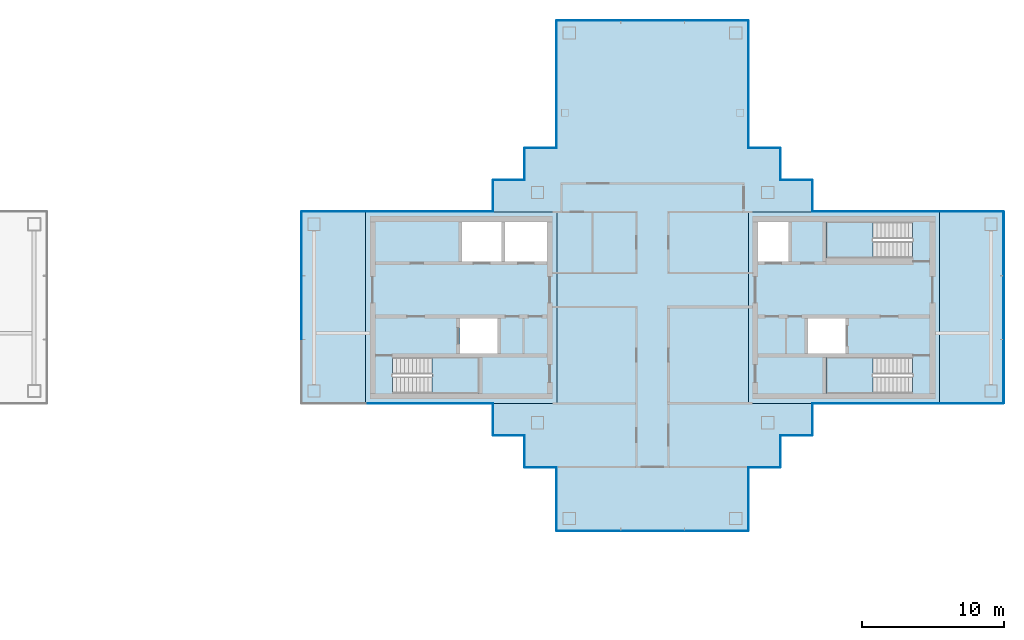
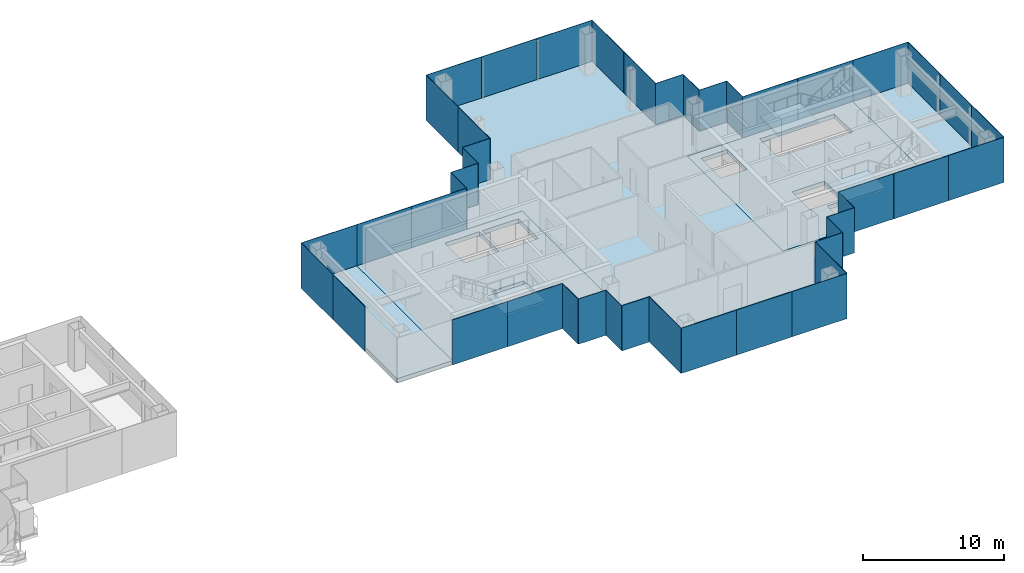
# One storey, part 8 of 16: 44 plates, 8 slabs, 22 elements without a shape of their own.
"""IFC4 building model written with IfcOpenShell, lengths in metres."""

from ifc_helpers import new_model, si_unit, direction, frame, origin, origin_2d, place, context, subcontext, project, spatial, polyline, rectangle, outline, extrude, material, layer, layer_set, type_object, element, aggregate, save


model = new_model("IFC4")

# Units and contexts
model_context = context("Model", 3, precision=1e-05, world=origin(), true_north=direction((0.0, 1.0)))
body_context = subcontext(model_context, "Body", "Model", "MODEL_VIEW")
ifc_project = project(units=[si_unit("LENGTHUNIT", "METRE"), si_unit("AREAUNIT", "SQUARE_METRE"), si_unit("VOLUMEUNIT", "CUBIC_METRE"), si_unit("PLANEANGLEUNIT", "RADIAN"), si_unit("MASSUNIT", "GRAM", prefix="KILO")], contexts=[model_context])

# Site, building, storey
site_placement = place(None, origin())
site = spatial("IfcSite", under=ifc_project, at=site_placement, CompositionType="ELEMENT")
building_placement = place(site_placement, origin())
building = spatial("IfcBuilding", under=site, at=building_placement, Name="Shamsa Quay Exchange Towers", CompositionType="ELEMENT")
storey_placement = place(building_placement, frame((0.0, 0.0, 261.60009765625)))
storey = spatial("IfcBuildingStorey", under=building, at=storey_placement, Name="L63", CompositionType="ELEMENT", Elevation=261.60009765625)

# Slabs
ifc_material_1 = material(Name="Concrete C50/60", Category="concrete")
ifc_layer_1 = layer(ifc_material_1, 0.35009765625)
ifc_layer_set_1 = layer_set([ifc_layer_1], Name="CORE FLOOR 350 C50/60")
slab_type_1 = type_object("IfcSlabType", Name="CORE FLOOR 350 C50/60", PredefinedType="FLOOR", material=ifc_layer_set_1)
slab_1_placement = place(storey_placement, frame((0.0, 0.0, -0.35009765625)))
element("IfcSlab", 1, at=slab_1_placement, inside=storey, type_object=slab_type_1, Name="Core floor T2A", PredefinedType="FLOOR", context=body_context, shape_type="SweptSolid", body=[
    extrude(outline(polyline([(13.5, -6.75), (27.0, -6.75), (27.0, 6.75), (13.5, 6.75), (13.5, -6.75)]), holes=[polyline([(15.400634765625, -6.050048828125), (15.400634765625, -3.5), (21.5, -3.5), (21.5, -6.050048828125), (15.400634765625, -6.050048828125)]), polyline([(20.300048828125, 3.25), (20.300048828125, 6.050048828125), (23.10009765625, 6.050048828125), (23.10009765625, 3.25), (20.300048828125, 3.25)]), polyline([(23.35009765625, 3.25), (23.35009765625, 6.050048828125), (26.300048828125, 6.050048828125), (26.300048828125, 3.25), (23.35009765625, 3.25)]), polyline([(20.14990234375, -3.25), (20.14990234375, -0.75), (22.800048828125, -0.75), (22.800048828125, -3.25), (20.14990234375, -3.25)])]), origin(), (0.0, 0.0, 1.0), 0.35009765625),
])
slab_2_placement = place(storey_placement, frame((0.0, 0.0, -0.35009765625)))
element("IfcSlab", 2, at=slab_2_placement, inside=storey, type_object=slab_type_1, Name="Core floor T2B", PredefinedType="FLOOR", context=body_context, shape_type="SweptSolid", body=[
    extrude(outline(polyline([(54.0, -6.75), (54.0, 6.75), (40.5, 6.75), (40.5, -6.75), (54.0, -6.75)]), holes=[polyline([(52.099365234375, -3.5), (52.099365234375, -6.050048828125), (46.0, -6.050048828125), (46.0, -3.5), (52.099365234375, -3.5)]), polyline([(52.099365234375, 6.050048828125), (52.099365234375, 3.5), (46.0, 3.5), (46.0, 6.050048828125), (52.099365234375, 6.050048828125)]), polyline([(43.35009765625, 3.25), (41.199951171875, 3.25), (41.199951171875, 6.050048828125), (43.35009765625, 6.050048828125), (43.35009765625, 3.25)]), polyline([(47.35009765625, -3.25), (44.699951171875, -3.25), (44.699951171875, -0.75), (47.35009765625, -0.75), (47.35009765625, -3.25)])]), origin(), (0.0, 0.0, 1.0), 0.35009765625),
])

# Stair, slab
ifc_material_2 = material(Name="Concrete C40/50", Category="concrete")
stair_type = type_object("IfcStairType", Name="EXIT STAIR 22 RISERS 177 MM", PredefinedType="HALF_TURN_STAIR", material=ifc_material_2)
stair_1_placement = place(storey_placement, origin())
stair_1 = element("IfcStair", 3, at=stair_1_placement, inside=storey, type_object=stair_type, Name="L63 Exit stair ST4", PredefinedType="HALF_TURN_STAIR")
ifc_layer_2 = layer(ifc_material_2, 0.199951171875)
ifc_layer_set_2 = layer_set([ifc_layer_2], Name="CORE STAIR LANDING")
slab_type_2 = type_object("IfcSlabType", Name="CORE STAIR LANDING", PredefinedType="LANDING", material=ifc_layer_set_2)
slab_3_placement = place(storey_placement, frame((0.0, 0.0, 1.75)))
slab_3 = element("IfcSlab", 4, at=slab_3_placement, type_object=slab_type_2, Name="ST4 landing 1", PredefinedType="LANDING", context=body_context, shape_type="SweptSolid", body=[
    extrude(outline(polyline([(18.199951171875, -6.050048828125), (21.5, -6.050048828125), (21.5, -3.5), (18.199951171875, -3.5), (18.199951171875, -6.050048828125)])), origin(), (0.0, 0.0, 1.0), 0.199951171875),
])
aggregate(stair_1, [slab_3])

stair_2_placement = place(storey_placement, origin())
stair_2 = element("IfcStair", 5, at=stair_2_placement, inside=storey, type_object=stair_type, Name="L63 Exit stair ST5", PredefinedType="HALF_TURN_STAIR")
slab_4_placement = place(storey_placement, frame((0.0, 0.0, 1.75)))
slab_4 = element("IfcSlab", 6, at=slab_4_placement, type_object=slab_type_2, Name="ST5 landing 1", PredefinedType="LANDING", context=body_context, shape_type="SweptSolid", body=[
    extrude(outline(polyline([(49.300048828125, -3.5), (46.0, -3.5), (46.0, -6.050048828125), (49.300048828125, -6.050048828125), (49.300048828125, -3.5)])), origin(), (0.0, 0.0, 1.0), 0.199951171875),
])
aggregate(stair_2, [slab_4])

stair_3_placement = place(storey_placement, origin())
stair_3 = element("IfcStair", 7, at=stair_3_placement, inside=storey, type_object=stair_type, Name="L63 Exit stair ST6", PredefinedType="HALF_TURN_STAIR")
slab_5_placement = place(storey_placement, frame((0.0, 0.0, 1.75)))
slab_5 = element("IfcSlab", 8, at=slab_5_placement, type_object=slab_type_2, Name="ST6 landing 1", PredefinedType="LANDING", context=body_context, shape_type="SweptSolid", body=[
    extrude(outline(polyline([(49.300048828125, 6.050048828125), (46.0, 6.050048828125), (46.0, 3.5), (49.300048828125, 3.5), (49.300048828125, 6.050048828125)])), origin(), (0.0, 0.0, 1.0), 0.199951171875),
])
aggregate(stair_3, [slab_5])

# Curtain wall, plate
ifc_material_3 = material(Name="Aluminium EN AW-6063 T6, black anodised", Category="aluminium")
ifc_layer_3 = layer(ifc_material_3, 0.280029296875)
ifc_layer_set_3 = layer_set([ifc_layer_3], Name="CW-1 UNITISED VISION GLASS")
curtain_wall_type_1 = type_object("IfcCurtainWallType", Name="CW-1 UNITISED VISION GLASS", PredefinedType="NOTDEFINED", material=ifc_layer_set_3)
curtain_wall_1_placement = place(storey_placement, origin())
curtain_wall_1 = element("IfcCurtainWall", 9, at=curtain_wall_1_placement, inside=storey, type_object=curtain_wall_type_1, Name="CW1 T2-FLK-V-W L63", PredefinedType="NOTDEFINED")
ifc_material_4 = material(Name="Glass, laminated, dark tinted", Category="glass")
ifc_layer_4 = layer(ifc_material_4, 0.0400390625)
ifc_layer_set_4 = layer_set([ifc_layer_4], Name="CW-1 VISION GLASS 40")
plate_type_1 = type_object("IfcPlateType", Name="CW-1 VISION GLASS 40", PredefinedType="CURTAIN_PANEL", material=ifc_layer_set_4)
plate_1_placement = place(storey_placement, frame((56.25, -6.77001953125, -0.35009765625)))
plate_1 = element("IfcPlate", 10, at=plate_1_placement, type_object=plate_type_1, Name="CW1 glass panel", PredefinedType="CURTAIN_PANEL", context=body_context, shape_type="SweptSolid", body=[
    extrude(rectangle(XDim=4.5, YDim=0.0400390625, at=origin_2d()), origin(), (0.0, 0.0, 1.0), 3.89990234375),
])
aggregate(curtain_wall_1, [plate_1])

# Curtain wall, plates
curtain_wall_2_placement = place(storey_placement, origin())
curtain_wall_2 = element("IfcCurtainWall", 11, at=curtain_wall_2_placement, inside=storey, type_object=curtain_wall_type_1, Name="CW1 T2-END-V- L63", PredefinedType="NOTDEFINED")
plate_2_placement = place(storey_placement, frame((58.52001953125, -4.50244140625, -0.35009765625), z_axis=(0.0, 0.0, 1.0), x_axis=(0.0, 1.0, 0.0)))
plate_2 = element("IfcPlate", 12, at=plate_2_placement, type_object=plate_type_1, Name="CW1 glass panel", PredefinedType="CURTAIN_PANEL", context=body_context, shape_type="SweptSolid", body=[
    extrude(rectangle(XDim=4.4951171875, YDim=0.0400390625, at=origin_2d()), origin(), (0.0, 0.0, 1.0), 3.89990234375),
])
plate_3_placement = place(storey_placement, frame((58.52001953125, 0.0, -0.35009765625), z_axis=(0.0, 0.0, 1.0), x_axis=(0.0, 1.0, 0.0)))
plate_3 = element("IfcPlate", 13, at=plate_3_placement, type_object=plate_type_1, Name="CW1 glass panel", PredefinedType="CURTAIN_PANEL", context=body_context, shape_type="SweptSolid", body=[
    extrude(rectangle(XDim=4.489990234375, YDim=0.0400390625, at=origin_2d()), origin(), (0.0, 0.0, 1.0), 3.89990234375),
])
plate_4_placement = place(storey_placement, frame((58.52001953125, 4.50244140625, -0.35009765625), z_axis=(0.0, 0.0, 1.0), x_axis=(0.0, 1.0, 0.0)))
plate_4 = element("IfcPlate", 14, at=plate_4_placement, type_object=plate_type_1, Name="CW1 glass panel", PredefinedType="CURTAIN_PANEL", context=body_context, shape_type="SweptSolid", body=[
    extrude(rectangle(XDim=4.4951171875, YDim=0.0400390625, at=origin_2d()), origin(), (0.0, 0.0, 1.0), 3.89990234375),
])
aggregate(curtain_wall_2, [plate_2, plate_3, plate_4])

# Curtain wall, plate
curtain_wall_3_placement = place(storey_placement, origin())
curtain_wall_3 = element("IfcCurtainWall", 15, at=curtain_wall_3_placement, inside=storey, type_object=curtain_wall_type_1, Name="CW1 T2-FLK-V-E L63", PredefinedType="NOTDEFINED")
plate_5_placement = place(storey_placement, frame((56.25, 6.77001953125, -0.35009765625), z_axis=(0.0, 0.0, 1.0), x_axis=(-1.0, 0.0, 0.0)))
plate_5 = element("IfcPlate", 16, at=plate_5_placement, type_object=plate_type_1, Name="CW1 glass panel", PredefinedType="CURTAIN_PANEL", context=body_context, shape_type="SweptSolid", body=[
    extrude(rectangle(XDim=4.5, YDim=0.0400390625, at=origin_2d()), origin(), (0.0, 0.0, 1.0), 3.89990234375),
])
aggregate(curtain_wall_3, [plate_5])

# Curtain wall, plates
curtain_wall_4_placement = place(storey_placement, origin())
curtain_wall_4 = element("IfcCurtainWall", 17, at=curtain_wall_4_placement, inside=storey, type_object=curtain_wall_type_1, Name="CW1 T2-FLK-U+S L63", PredefinedType="NOTDEFINED")
plate_6_placement = place(storey_placement, frame((40.52001953125, 13.52587890625, -0.35009765625), z_axis=(0.0, 0.0, 1.0), x_axis=(0.0, 1.0, 0.0)))
plate_6 = element("IfcPlate", 18, at=plate_6_placement, type_object=plate_type_1, Name="CW1 glass panel", PredefinedType="CURTAIN_PANEL", context=body_context, shape_type="SweptSolid", body=[
    extrude(rectangle(XDim=4.47607421875, YDim=0.0400390625, at=origin_2d()), origin(), (0.0, 0.0, 1.0), 3.89990234375),
])
plate_7_placement = place(storey_placement, frame((40.52001953125, 18.011962890625, -0.35009765625), z_axis=(0.0, 0.0, 1.0), x_axis=(0.0, 1.0, 0.0)))
plate_7 = element("IfcPlate", 19, at=plate_7_placement, type_object=plate_type_1, Name="CW1 glass panel", PredefinedType="CURTAIN_PANEL", context=body_context, shape_type="SweptSolid", body=[
    extrude(rectangle(XDim=4.47607421875, YDim=0.0400390625, at=origin_2d()), origin(), (0.0, 0.0, 1.0), 3.89990234375),
])
aggregate(curtain_wall_4, [plate_6, plate_7])

curtain_wall_5_placement = place(storey_placement, origin())
curtain_wall_5 = element("IfcCurtainWall", 20, at=curtain_wall_5_placement, inside=storey, type_object=curtain_wall_type_1, Name="CW1 T2-END-U+ L63", PredefinedType="NOTDEFINED")
plate_8_placement = place(storey_placement, frame((38.25244140625, 20.27001953125, -0.35009765625), z_axis=(0.0, 0.0, 1.0), x_axis=(-1.0, 0.0, 0.0)))
plate_8 = element("IfcPlate", 21, at=plate_8_placement, type_object=plate_type_1, Name="CW1 glass panel", PredefinedType="CURTAIN_PANEL", context=body_context, shape_type="SweptSolid", body=[
    extrude(rectangle(XDim=4.4951171875, YDim=0.0400390625, at=origin_2d()), origin(), (0.0, 0.0, 1.0), 3.89990234375),
])
plate_9_placement = place(storey_placement, frame((33.75, 20.27001953125, -0.35009765625), z_axis=(0.0, 0.0, 1.0), x_axis=(-1.0, 0.0, 0.0)))
plate_9 = element("IfcPlate", 22, at=plate_9_placement, type_object=plate_type_1, Name="CW1 glass panel", PredefinedType="CURTAIN_PANEL", context=body_context, shape_type="SweptSolid", body=[
    extrude(rectangle(XDim=4.489990234375, YDim=0.0400390625, at=origin_2d()), origin(), (0.0, 0.0, 1.0), 3.89990234375),
])
plate_10_placement = place(storey_placement, frame((29.24755859375, 20.27001953125, -0.35009765625), z_axis=(0.0, 0.0, 1.0), x_axis=(-1.0, 0.0, 0.0)))
plate_10 = element("IfcPlate", 23, at=plate_10_placement, type_object=plate_type_1, Name="CW1 glass panel", PredefinedType="CURTAIN_PANEL", context=body_context, shape_type="SweptSolid", body=[
    extrude(rectangle(XDim=4.4951171875, YDim=0.0400390625, at=origin_2d()), origin(), (0.0, 0.0, 1.0), 3.89990234375),
])
aggregate(curtain_wall_5, [plate_8, plate_9, plate_10])

curtain_wall_6_placement = place(storey_placement, origin())
curtain_wall_6 = element("IfcCurtainWall", 24, at=curtain_wall_6_placement, inside=storey, type_object=curtain_wall_type_1, Name="CW1 T2-FLK-U+N L63", PredefinedType="NOTDEFINED")
plate_11_placement = place(storey_placement, frame((26.97998046875, 18.00244140625, -0.35009765625), z_axis=(0.0, 0.0, 1.0), x_axis=(0.0, -1.0, 0.0)))
plate_11 = element("IfcPlate", 25, at=plate_11_placement, type_object=plate_type_1, Name="CW1 glass panel", PredefinedType="CURTAIN_PANEL", context=body_context, shape_type="SweptSolid", body=[
    extrude(rectangle(XDim=4.4951171875, YDim=0.0400390625, at=origin_2d()), origin(), (0.0, 0.0, 1.0), 3.89990234375),
])
plate_12_placement = place(storey_placement, frame((26.97998046875, 13.49755859375, -0.35009765625), z_axis=(0.0, 0.0, 1.0), x_axis=(0.0, -1.0, 0.0)))
plate_12 = element("IfcPlate", 26, at=plate_12_placement, type_object=plate_type_1, Name="CW1 glass panel", PredefinedType="CURTAIN_PANEL", context=body_context, shape_type="SweptSolid", body=[
    extrude(rectangle(XDim=4.4951171875, YDim=0.0400390625, at=origin_2d()), origin(), (0.0, 0.0, 1.0), 3.89990234375),
])
aggregate(curtain_wall_6, [plate_11, plate_12])

# Curtain wall, plate
curtain_wall_7_placement = place(storey_placement, origin())
curtain_wall_7 = element("IfcCurtainWall", 27, at=curtain_wall_7_placement, inside=storey, type_object=curtain_wall_type_1, Name="CW1 T2-FLK-V+E L63", PredefinedType="NOTDEFINED")
plate_13_placement = place(storey_placement, frame((11.25, 6.77001953125, -0.35009765625), z_axis=(0.0, 0.0, 1.0), x_axis=(-1.0, 0.0, 0.0)))
plate_13 = element("IfcPlate", 28, at=plate_13_placement, type_object=plate_type_1, Name="CW1 glass panel", PredefinedType="CURTAIN_PANEL", context=body_context, shape_type="SweptSolid", body=[
    extrude(rectangle(XDim=4.5, YDim=0.0400390625, at=origin_2d()), origin(), (0.0, 0.0, 1.0), 3.89990234375),
])
aggregate(curtain_wall_7, [plate_13])

# Curtain wall, plates
curtain_wall_8_placement = place(storey_placement, origin())
curtain_wall_8 = element("IfcCurtainWall", 29, at=curtain_wall_8_placement, inside=storey, type_object=curtain_wall_type_1, Name="CW1 T2-END-V+ L63", PredefinedType="NOTDEFINED")
plate_14_placement = place(storey_placement, frame((8.97998046875, 4.50244140625, -0.35009765625), z_axis=(0.0, 0.0, 1.0), x_axis=(0.0, -1.0, 0.0)))
plate_14 = element("IfcPlate", 30, at=plate_14_placement, type_object=plate_type_1, Name="CW1 glass panel", PredefinedType="CURTAIN_PANEL", context=body_context, shape_type="SweptSolid", body=[
    extrude(rectangle(XDim=4.4951171875, YDim=0.0400390625, at=origin_2d()), origin(), (0.0, 0.0, 1.0), 3.89990234375),
])
plate_15_placement = place(storey_placement, frame((8.97998046875, 0.0, -0.35009765625), z_axis=(0.0, 0.0, 1.0), x_axis=(0.0, -1.0, 0.0)))
plate_15 = element("IfcPlate", 31, at=plate_15_placement, type_object=plate_type_1, Name="CW1 glass panel", PredefinedType="CURTAIN_PANEL", context=body_context, shape_type="SweptSolid", body=[
    extrude(rectangle(XDim=4.489990234375, YDim=0.0400390625, at=origin_2d()), origin(), (0.0, 0.0, 1.0), 3.89990234375),
])
aggregate(curtain_wall_8, [plate_14, plate_15])

# Curtain wall, plate
curtain_wall_9_placement = place(storey_placement, origin())
curtain_wall_9 = element("IfcCurtainWall", 32, at=curtain_wall_9_placement, inside=storey, type_object=curtain_wall_type_1, Name="CW1 T2-FLK-U-N L63", PredefinedType="NOTDEFINED")
plate_16_placement = place(storey_placement, frame((26.97998046875, -13.51904296875, -0.35009765625), z_axis=(0.0, 0.0, 1.0), x_axis=(0.0, -1.0, 0.0)))
plate_16 = element("IfcPlate", 33, at=plate_16_placement, type_object=plate_type_1, Name="CW1 glass panel", PredefinedType="CURTAIN_PANEL", context=body_context, shape_type="SweptSolid", body=[
    extrude(rectangle(XDim=4.4619140625, YDim=0.0400390625, at=origin_2d()), origin(), (0.0, 0.0, 1.0), 3.89990234375),
])
aggregate(curtain_wall_9, [plate_16])

# Curtain wall, plates
curtain_wall_10_placement = place(storey_placement, origin())
curtain_wall_10 = element("IfcCurtainWall", 34, at=curtain_wall_10_placement, inside=storey, type_object=curtain_wall_type_1, Name="CW1 T2-END-U- L63", PredefinedType="NOTDEFINED")
plate_17_placement = place(storey_placement, frame((29.24755859375, -15.77001953125, -0.35009765625)))
plate_17 = element("IfcPlate", 35, at=plate_17_placement, type_object=plate_type_1, Name="CW1 glass panel", PredefinedType="CURTAIN_PANEL", context=body_context, shape_type="SweptSolid", body=[
    extrude(rectangle(XDim=4.4951171875, YDim=0.0400390625, at=origin_2d()), origin(), (0.0, 0.0, 1.0), 3.89990234375),
])
plate_18_placement = place(storey_placement, frame((33.75, -15.77001953125, -0.35009765625)))
plate_18 = element("IfcPlate", 36, at=plate_18_placement, type_object=plate_type_1, Name="CW1 glass panel", PredefinedType="CURTAIN_PANEL", context=body_context, shape_type="SweptSolid", body=[
    extrude(rectangle(XDim=4.489990234375, YDim=0.0400390625, at=origin_2d()), origin(), (0.0, 0.0, 1.0), 3.89990234375),
])
plate_19_placement = place(storey_placement, frame((38.25244140625, -15.77001953125, -0.35009765625)))
plate_19 = element("IfcPlate", 37, at=plate_19_placement, type_object=plate_type_1, Name="CW1 glass panel", PredefinedType="CURTAIN_PANEL", context=body_context, shape_type="SweptSolid", body=[
    extrude(rectangle(XDim=4.4951171875, YDim=0.0400390625, at=origin_2d()), origin(), (0.0, 0.0, 1.0), 3.89990234375),
])
aggregate(curtain_wall_10, [plate_17, plate_18, plate_19])

# Curtain wall, plate
curtain_wall_11_placement = place(storey_placement, origin())
curtain_wall_11 = element("IfcCurtainWall", 38, at=curtain_wall_11_placement, inside=storey, type_object=curtain_wall_type_1, Name="CW1 T2-FLK-U-S L63", PredefinedType="NOTDEFINED")
plate_20_placement = place(storey_placement, frame((40.52001953125, -13.5, -0.35009765625), z_axis=(0.0, 0.0, 1.0), x_axis=(0.0, 1.0, 0.0)))
plate_20 = element("IfcPlate", 39, at=plate_20_placement, type_object=plate_type_1, Name="CW1 glass panel", PredefinedType="CURTAIN_PANEL", context=body_context, shape_type="SweptSolid", body=[
    extrude(rectangle(XDim=4.5, YDim=0.0400390625, at=origin_2d()), origin(), (0.0, 0.0, 1.0), 3.89990234375),
])
aggregate(curtain_wall_11, [plate_20])

# Curtain wall, plates
ifc_layer_5 = layer(ifc_material_3, 0.303955078125)
ifc_layer_set_5 = layer_set([ifc_layer_5], Name="CW-2 UNITISED OPAQUE SPANDREL GLASS")
curtain_wall_type_2 = type_object("IfcCurtainWallType", Name="CW-2 UNITISED OPAQUE SPANDREL GLASS", PredefinedType="NOTDEFINED", material=ifc_layer_set_5)
curtain_wall_12_placement = place(storey_placement, origin())
curtain_wall_12 = element("IfcCurtainWall", 40, at=curtain_wall_12_placement, inside=storey, type_object=curtain_wall_type_2, Name="CW2 T2-FLK-V-W L63", PredefinedType="NOTDEFINED")
ifc_material_5 = material(Name="Glass, laminated, black enamelled opaque", Category="glass")
ifc_layer_6 = layer(ifc_material_5, 0.0439453125)
ifc_layer_set_6 = layer_set([ifc_layer_6], Name="CW-2 SPANDREL GLASS 44")
plate_type_2 = type_object("IfcPlateType", Name="CW-2 SPANDREL GLASS 44", PredefinedType="CURTAIN_PANEL", material=ifc_layer_set_6)
plate_21_placement = place(storey_placement, frame((47.27587890625, -6.77197265625, -0.35009765625)))
plate_21 = element("IfcPlate", 41, at=plate_21_placement, type_object=plate_type_2, Name="CW2 glass panel", PredefinedType="CURTAIN_PANEL", context=body_context, shape_type="SweptSolid", body=[
    extrude(rectangle(XDim=4.47607421875, YDim=0.0439453125, at=origin_2d()), origin(), (0.0, 0.0, 1.0), 3.89990234375),
])
plate_22_placement = place(storey_placement, frame((51.761962890625, -6.77197265625, -0.35009765625)))
plate_22 = element("IfcPlate", 42, at=plate_22_placement, type_object=plate_type_2, Name="CW2 glass panel", PredefinedType="CURTAIN_PANEL", context=body_context, shape_type="SweptSolid", body=[
    extrude(rectangle(XDim=4.47607421875, YDim=0.0439453125, at=origin_2d()), origin(), (0.0, 0.0, 1.0), 3.89990234375),
])
aggregate(curtain_wall_12, [plate_21, plate_22])

curtain_wall_13_placement = place(storey_placement, origin())
curtain_wall_13 = element("IfcCurtainWall", 43, at=curtain_wall_13_placement, inside=storey, type_object=curtain_wall_type_2, Name="CW2 T2-FLK-V-E L63", PredefinedType="NOTDEFINED")
plate_23_placement = place(storey_placement, frame((51.75244140625, 6.77197265625, -0.35009765625), z_axis=(0.0, 0.0, 1.0), x_axis=(-1.0, 0.0, 0.0)))
plate_23 = element("IfcPlate", 44, at=plate_23_placement, type_object=plate_type_2, Name="CW2 glass panel", PredefinedType="CURTAIN_PANEL", context=body_context, shape_type="SweptSolid", body=[
    extrude(rectangle(XDim=4.4951171875, YDim=0.0439453125, at=origin_2d()), origin(), (0.0, 0.0, 1.0), 3.89990234375),
])
plate_24_placement = place(storey_placement, frame((47.24755859375, 6.77197265625, -0.35009765625), z_axis=(0.0, 0.0, 1.0), x_axis=(-1.0, 0.0, 0.0)))
plate_24 = element("IfcPlate", 45, at=plate_24_placement, type_object=plate_type_2, Name="CW2 glass panel", PredefinedType="CURTAIN_PANEL", context=body_context, shape_type="SweptSolid", body=[
    extrude(rectangle(XDim=4.4951171875, YDim=0.0439453125, at=origin_2d()), origin(), (0.0, 0.0, 1.0), 3.89990234375),
])
aggregate(curtain_wall_13, [plate_23, plate_24])

curtain_wall_14_placement = place(storey_placement, origin())
curtain_wall_14 = element("IfcCurtainWall", 46, at=curtain_wall_14_placement, inside=storey, type_object=curtain_wall_type_2, Name="CW2 T2-FLK-V+E L63", PredefinedType="NOTDEFINED")
plate_25_placement = place(storey_placement, frame((20.22412109375, 6.77197265625, -0.35009765625), z_axis=(0.0, 0.0, 1.0), x_axis=(-1.0, 0.0, 0.0)))
plate_25 = element("IfcPlate", 47, at=plate_25_placement, type_object=plate_type_2, Name="CW2 glass panel", PredefinedType="CURTAIN_PANEL", context=body_context, shape_type="SweptSolid", body=[
    extrude(rectangle(XDim=4.47607421875, YDim=0.0439453125, at=origin_2d()), origin(), (0.0, 0.0, 1.0), 3.89990234375),
])
plate_26_placement = place(storey_placement, frame((15.738037109375, 6.77197265625, -0.35009765625), z_axis=(0.0, 0.0, 1.0), x_axis=(-1.0, 0.0, 0.0)))
plate_26 = element("IfcPlate", 48, at=plate_26_placement, type_object=plate_type_2, Name="CW2 glass panel", PredefinedType="CURTAIN_PANEL", context=body_context, shape_type="SweptSolid", body=[
    extrude(rectangle(XDim=4.47607421875, YDim=0.0439453125, at=origin_2d()), origin(), (0.0, 0.0, 1.0), 3.89990234375),
])
aggregate(curtain_wall_14, [plate_25, plate_26])

curtain_wall_15_placement = place(storey_placement, origin())
curtain_wall_15 = element("IfcCurtainWall", 49, at=curtain_wall_15_placement, inside=storey, type_object=curtain_wall_type_2, Name="CW2 T2-FLK-V+W L63", PredefinedType="NOTDEFINED")
plate_27_placement = place(storey_placement, frame((15.74755859375, -6.77197265625, -0.35009765625)))
plate_27 = element("IfcPlate", 50, at=plate_27_placement, type_object=plate_type_2, Name="CW2 glass panel", PredefinedType="CURTAIN_PANEL", context=body_context, shape_type="SweptSolid", body=[
    extrude(rectangle(XDim=4.4951171875, YDim=0.0439453125, at=origin_2d()), origin(), (0.0, 0.0, 1.0), 3.89990234375),
])
plate_28_placement = place(storey_placement, frame((20.25244140625, -6.77197265625, -0.35009765625)))
plate_28 = element("IfcPlate", 51, at=plate_28_placement, type_object=plate_type_2, Name="CW2 glass panel", PredefinedType="CURTAIN_PANEL", context=body_context, shape_type="SweptSolid", body=[
    extrude(rectangle(XDim=4.4951171875, YDim=0.0439453125, at=origin_2d()), origin(), (0.0, 0.0, 1.0), 3.89990234375),
])
aggregate(curtain_wall_15, [plate_27, plate_28])

ifc_layer_7 = layer(ifc_material_3, 0.256103515625)
ifc_layer_set_7 = layer_set([ifc_layer_7], Name="CW-4 POCKET SERRATED GLAZING")
curtain_wall_type_3 = type_object("IfcCurtainWallType", Name="CW-4 POCKET SERRATED GLAZING", PredefinedType="NOTDEFINED", material=ifc_layer_set_7)
curtain_wall_16_placement = place(storey_placement, origin())
curtain_wall_16 = element("IfcCurtainWall", 52, at=curtain_wall_16_placement, inside=storey, type_object=curtain_wall_type_3, Name="CW4 PKWS L63", PredefinedType="NOTDEFINED")
ifc_layer_8 = layer(ifc_material_4, 0.035888671875)
ifc_layer_set_8 = layer_set([ifc_layer_8], Name="CW-4 POCKET GLASS 36")
plate_type_3 = type_object("IfcPlateType", Name="CW-4 POCKET GLASS 36", PredefinedType="CURTAIN_PANEL", material=ifc_layer_set_8)
plate_29_placement = place(storey_placement, frame((43.89404296875, -9.01806640625, -0.35009765625)))
plate_29 = element("IfcPlate", 53, at=plate_29_placement, type_object=plate_type_3, Name="CW4 glass panel", PredefinedType="CURTAIN_PANEL", context=body_context, shape_type="SweptSolid", body=[
    extrude(rectangle(XDim=2.2119140625, YDim=0.035888671875, at=origin_2d()), origin(), (0.0, 0.0, 1.0), 3.89990234375),
])
plate_30_placement = place(storey_placement, frame((45.01806640625, -7.875, -0.35009765625), z_axis=(0.0, 0.0, 1.0), x_axis=(0.0, 1.0, 0.0)))
plate_30 = element("IfcPlate", 54, at=plate_30_placement, type_object=plate_type_3, Name="CW4 glass panel", PredefinedType="CURTAIN_PANEL", context=body_context, shape_type="SweptSolid", body=[
    extrude(rectangle(XDim=2.25, YDim=0.035888671875, at=origin_2d()), origin(), (0.0, 0.0, 1.0), 3.89990234375),
])
plate_31_placement = place(storey_placement, frame((41.64599609375, -11.26806640625, -0.35009765625)))
plate_31 = element("IfcPlate", 55, at=plate_31_placement, type_object=plate_type_3, Name="CW4 glass panel", PredefinedType="CURTAIN_PANEL", context=body_context, shape_type="SweptSolid", body=[
    extrude(rectangle(XDim=2.2080078125, YDim=0.035888671875, at=origin_2d()), origin(), (0.0, 0.0, 1.0), 3.89990234375),
])
plate_32_placement = place(storey_placement, frame((42.76806640625, -10.125, -0.35009765625), z_axis=(0.0, 0.0, 1.0), x_axis=(0.0, 1.0, 0.0)))
plate_32 = element("IfcPlate", 56, at=plate_32_placement, type_object=plate_type_3, Name="CW4 glass panel", PredefinedType="CURTAIN_PANEL", context=body_context, shape_type="SweptSolid", body=[
    extrude(rectangle(XDim=2.25, YDim=0.035888671875, at=origin_2d()), origin(), (0.0, 0.0, 1.0), 3.89990234375),
])
aggregate(curtain_wall_16, [plate_29, plate_30, plate_31, plate_32])

curtain_wall_17_placement = place(storey_placement, origin())
curtain_wall_17 = element("IfcCurtainWall", 57, at=curtain_wall_17_placement, inside=storey, type_object=curtain_wall_type_3, Name="CW4 PKES L63", PredefinedType="NOTDEFINED")
plate_33_placement = place(storey_placement, frame((45.01806640625, 7.89794921875, -0.35009765625), z_axis=(0.0, 0.0, 1.0), x_axis=(0.0, 1.0, 0.0)))
plate_33 = element("IfcPlate", 58, at=plate_33_placement, type_object=plate_type_3, Name="CW4 glass panel", PredefinedType="CURTAIN_PANEL", context=body_context, shape_type="SweptSolid", body=[
    extrude(rectangle(XDim=2.2041015625, YDim=0.035888671875, at=origin_2d()), origin(), (0.0, 0.0, 1.0), 3.89990234375),
])
plate_34_placement = place(storey_placement, frame((43.875, 9.01806640625, -0.35009765625), z_axis=(0.0, 0.0, 1.0), x_axis=(-1.0, 0.0, 0.0)))
plate_34 = element("IfcPlate", 59, at=plate_34_placement, type_object=plate_type_3, Name="CW4 glass panel", PredefinedType="CURTAIN_PANEL", context=body_context, shape_type="SweptSolid", body=[
    extrude(rectangle(XDim=2.25, YDim=0.035888671875, at=origin_2d()), origin(), (0.0, 0.0, 1.0), 3.89990234375),
])
plate_35_placement = place(storey_placement, frame((42.76806640625, 10.14404296875, -0.35009765625), z_axis=(0.0, 0.0, 1.0), x_axis=(0.0, 1.0, 0.0)))
plate_35 = element("IfcPlate", 60, at=plate_35_placement, type_object=plate_type_3, Name="CW4 glass panel", PredefinedType="CURTAIN_PANEL", context=body_context, shape_type="SweptSolid", body=[
    extrude(rectangle(XDim=2.2119140625, YDim=0.035888671875, at=origin_2d()), origin(), (0.0, 0.0, 1.0), 3.89990234375),
])
plate_36_placement = place(storey_placement, frame((41.625, 11.26806640625, -0.35009765625), z_axis=(0.0, 0.0, 1.0), x_axis=(-1.0, 0.0, 0.0)))
plate_36 = element("IfcPlate", 61, at=plate_36_placement, type_object=plate_type_3, Name="CW4 glass panel", PredefinedType="CURTAIN_PANEL", context=body_context, shape_type="SweptSolid", body=[
    extrude(rectangle(XDim=2.25, YDim=0.035888671875, at=origin_2d()), origin(), (0.0, 0.0, 1.0), 3.89990234375),
])
aggregate(curtain_wall_17, [plate_33, plate_34, plate_35, plate_36])

curtain_wall_18_placement = place(storey_placement, origin())
curtain_wall_18 = element("IfcCurtainWall", 62, at=curtain_wall_18_placement, inside=storey, type_object=curtain_wall_type_3, Name="CW4 PKEN L63", PredefinedType="NOTDEFINED")
plate_37_placement = place(storey_placement, frame((25.85400390625, 11.26806640625, -0.35009765625), z_axis=(0.0, 0.0, 1.0), x_axis=(-1.0, 0.0, 0.0)))
plate_37 = element("IfcPlate", 63, at=plate_37_placement, type_object=plate_type_3, Name="CW4 glass panel", PredefinedType="CURTAIN_PANEL", context=body_context, shape_type="SweptSolid", body=[
    extrude(rectangle(XDim=2.2080078125, YDim=0.035888671875, at=origin_2d()), origin(), (0.0, 0.0, 1.0), 3.89990234375),
])
plate_38_placement = place(storey_placement, frame((24.73193359375, 10.125, -0.35009765625), z_axis=(0.0, 0.0, 1.0), x_axis=(0.0, -1.0, 0.0)))
plate_38 = element("IfcPlate", 64, at=plate_38_placement, type_object=plate_type_3, Name="CW4 glass panel", PredefinedType="CURTAIN_PANEL", context=body_context, shape_type="SweptSolid", body=[
    extrude(rectangle(XDim=2.25, YDim=0.035888671875, at=origin_2d()), origin(), (0.0, 0.0, 1.0), 3.89990234375),
])
plate_39_placement = place(storey_placement, frame((23.60595703125, 9.01806640625, -0.35009765625), z_axis=(0.0, 0.0, 1.0), x_axis=(-1.0, 0.0, 0.0)))
plate_39 = element("IfcPlate", 65, at=plate_39_placement, type_object=plate_type_3, Name="CW4 glass panel", PredefinedType="CURTAIN_PANEL", context=body_context, shape_type="SweptSolid", body=[
    extrude(rectangle(XDim=2.2119140625, YDim=0.035888671875, at=origin_2d()), origin(), (0.0, 0.0, 1.0), 3.89990234375),
])
plate_40_placement = place(storey_placement, frame((22.48193359375, 7.875, -0.35009765625), z_axis=(0.0, 0.0, 1.0), x_axis=(0.0, -1.0, 0.0)))
plate_40 = element("IfcPlate", 66, at=plate_40_placement, type_object=plate_type_3, Name="CW4 glass panel", PredefinedType="CURTAIN_PANEL", context=body_context, shape_type="SweptSolid", body=[
    extrude(rectangle(XDim=2.25, YDim=0.035888671875, at=origin_2d()), origin(), (0.0, 0.0, 1.0), 3.89990234375),
])
aggregate(curtain_wall_18, [plate_37, plate_38, plate_39, plate_40])

curtain_wall_19_placement = place(storey_placement, origin())
curtain_wall_19 = element("IfcCurtainWall", 67, at=curtain_wall_19_placement, inside=storey, type_object=curtain_wall_type_3, Name="CW4 PKWN L63", PredefinedType="NOTDEFINED")
plate_41_placement = place(storey_placement, frame((22.48193359375, -7.89794921875, -0.35009765625), z_axis=(0.0, 0.0, 1.0), x_axis=(0.0, -1.0, 0.0)))
plate_41 = element("IfcPlate", 68, at=plate_41_placement, type_object=plate_type_3, Name="CW4 glass panel", PredefinedType="CURTAIN_PANEL", context=body_context, shape_type="SweptSolid", body=[
    extrude(rectangle(XDim=2.2041015625, YDim=0.035888671875, at=origin_2d()), origin(), (0.0, 0.0, 1.0), 3.89990234375),
])
plate_42_placement = place(storey_placement, frame((23.625, -9.01806640625, -0.35009765625)))
plate_42 = element("IfcPlate", 69, at=plate_42_placement, type_object=plate_type_3, Name="CW4 glass panel", PredefinedType="CURTAIN_PANEL", context=body_context, shape_type="SweptSolid", body=[
    extrude(rectangle(XDim=2.25, YDim=0.035888671875, at=origin_2d()), origin(), (0.0, 0.0, 1.0), 3.89990234375),
])
plate_43_placement = place(storey_placement, frame((24.73193359375, -10.14404296875, -0.35009765625), z_axis=(0.0, 0.0, 1.0), x_axis=(0.0, -1.0, 0.0)))
plate_43 = element("IfcPlate", 70, at=plate_43_placement, type_object=plate_type_3, Name="CW4 glass panel", PredefinedType="CURTAIN_PANEL", context=body_context, shape_type="SweptSolid", body=[
    extrude(rectangle(XDim=2.2119140625, YDim=0.035888671875, at=origin_2d()), origin(), (0.0, 0.0, 1.0), 3.89990234375),
])
plate_44_placement = place(storey_placement, frame((25.875, -11.26806640625, -0.35009765625)))
plate_44 = element("IfcPlate", 71, at=plate_44_placement, type_object=plate_type_3, Name="CW4 glass panel", PredefinedType="CURTAIN_PANEL", context=body_context, shape_type="SweptSolid", body=[
    extrude(rectangle(XDim=2.25, YDim=0.035888671875, at=origin_2d()), origin(), (0.0, 0.0, 1.0), 3.89990234375),
])
aggregate(curtain_wall_19, [plate_41, plate_42, plate_43, plate_44])

# Slabs
ifc_layer_9 = layer(ifc_material_2, 0.35009765625)
ifc_layer_set_9 = layer_set([ifc_layer_9], Name="Flat slab 350")
slab_type_3 = type_object("IfcSlabType", Name="Flat slab 350", PredefinedType="FLOOR", material=ifc_layer_set_9)
slab_6_placement = place(storey_placement, frame((0.0, 0.0, -0.35009765625)))
element("IfcSlab", 72, at=slab_6_placement, inside=storey, type_object=slab_type_3, Name="Flat slab T2 L63 4", PredefinedType="FLOOR", context=body_context, shape_type="SweptSolid", body=[
    extrude(outline(polyline([(9.0, -6.75), (13.5, -6.75), (13.5, 6.75), (9.0, 6.75), (9.0, -6.75)])), origin(), (0.0, 0.0, 1.0), 0.35009765625),
])
slab_7_placement = place(storey_placement, frame((0.0, 0.0, -0.35009765625)))
element("IfcSlab", 73, at=slab_7_placement, inside=storey, type_object=slab_type_3, Name="Flat slab T2 L63 5", PredefinedType="FLOOR", context=body_context, shape_type="SweptSolid", body=[
    extrude(outline(polyline([(45.0, -9.0), (45.0, -6.75), (40.5, -6.75), (40.5, 6.75), (45.0, 6.75), (45.0, 9.0), (42.75, 9.0), (42.75, 11.25), (40.5, 11.25), (40.5, 20.25), (27.0, 20.25), (27.0, 11.25), (24.75, 11.25), (24.75, 9.0), (22.5, 9.0), (22.5, 6.75), (27.0, 6.75), (27.0, -6.75), (22.5, -6.75), (22.5, -9.0), (24.75, -9.0), (24.75, -11.25), (27.0, -11.25), (27.0, -15.75), (40.5, -15.75), (40.5, -11.25), (42.75, -11.25), (42.75, -9.0), (45.0, -9.0)])), origin(), (0.0, 0.0, 1.0), 0.35009765625),
])
slab_8_placement = place(storey_placement, frame((0.0, 0.0, -0.35009765625)))
element("IfcSlab", 74, at=slab_8_placement, inside=storey, type_object=slab_type_3, Name="Flat slab T2 L63 6", PredefinedType="FLOOR", context=body_context, shape_type="SweptSolid", body=[
    extrude(outline(polyline([(58.5, 6.75), (54.0, 6.75), (54.0, -6.75), (58.5, -6.75), (58.5, 6.75)])), origin(), (0.0, 0.0, 1.0), 0.35009765625),
])

save(model, "model.ifc")
